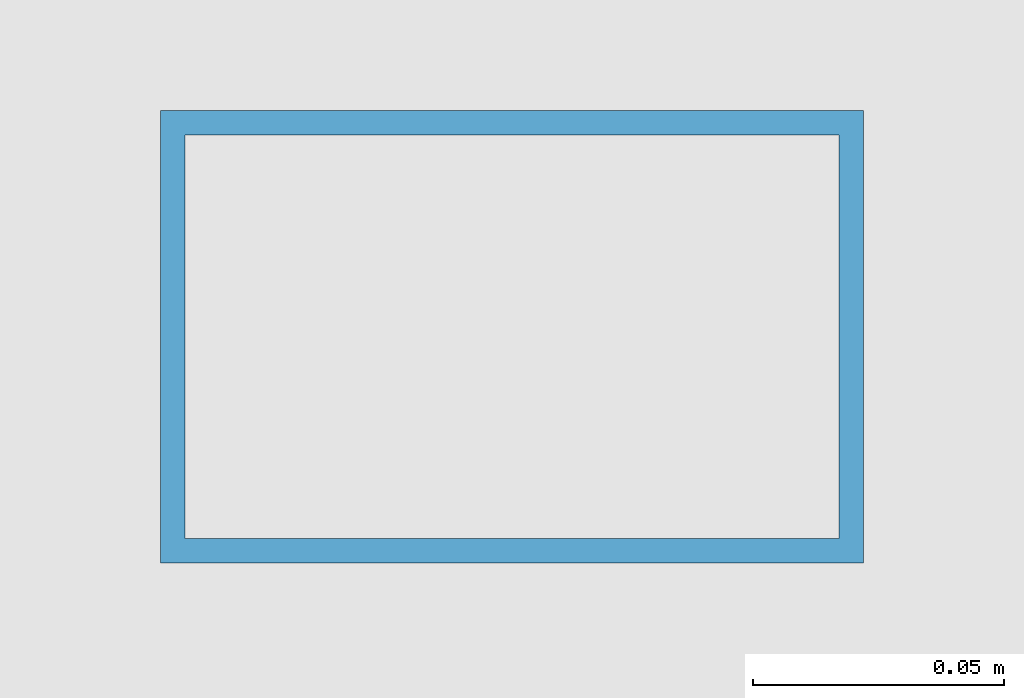
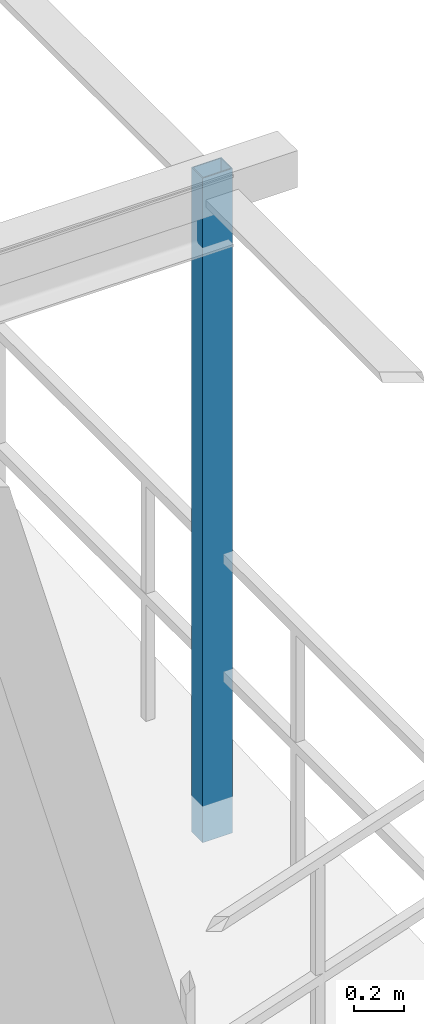
# One storey, part 7 of 23: 1 member.
"""IFC4 building model written with IfcOpenShell, lengths in metres."""

from ifc_helpers import new_model, si_unit, direction, frame, origin, origin_2d, place, context, subcontext, project, spatial, hollow_rectangle, extrude, source, transform, mapped, material, material_profile, profile_set, type_object, element, save


model = new_model("IFC4")

# Units and contexts
model_context = context("Model", 3, precision=1e-05, world=origin(), true_north=direction((0.0, 1.0)))
body_context = subcontext(model_context, "Body", "Model", "MODEL_VIEW")
ifc_project = project(units=[si_unit("LENGTHUNIT", "METRE"), si_unit("AREAUNIT", "SQUARE_METRE"), si_unit("VOLUMEUNIT", "CUBIC_METRE"), si_unit("PLANEANGLEUNIT", "RADIAN"), si_unit("MASSUNIT", "GRAM", prefix="KILO"), si_unit("THERMODYNAMICTEMPERATUREUNIT", "KELVIN"), si_unit("POWERUNIT", "WATT")], contexts=[model_context])

# Site, building, storey
site_placement = place(None, origin())
site = spatial("IfcSite", under=ifc_project, at=site_placement, CompositionType="ELEMENT")
building_placement = place(site_placement, origin())
building = spatial("IfcBuilding", under=site, at=building_placement, Name="Qiaomeng Ring Towers", CompositionType="ELEMENT")
storey_placement = place(building_placement, frame((0.0, 0.0, 76.25)))
storey = spatial("IfcBuildingStorey", under=building, at=storey_placement, Name="L21", CompositionType="ELEMENT", Elevation=76.25)

# Member
ifc_material = material(Name="Stainless steel 316", Category="steel")
ifc_material_profile = material_profile(ifc_material, hollow_rectangle(XDim=0.090087890625, YDim=0.139892578125, WallThickness=0.0048828125, at=origin_2d()), Name="SS TRELLIS 90x140")
ifc_profile_set = profile_set([ifc_material_profile], Name="Stainless steel 316")
member_type = type_object("IfcMemberType", Name="ARC-TR-POST1", PredefinedType="STUD", material=ifc_profile_set)
shared_shape = source(origin(), body_context, "Body", "SweptSolid", [
    extrude(hollow_rectangle(XDim=0.090087890625, YDim=0.139892578125, WallThickness=0.0048828125, at=origin_2d()), origin(), (0.0, 0.0, 1.0), 3.25),
])
member_placement = place(storey_placement, frame((39.489990234375, 20.0, -0.179931640625), z_axis=(0.0, 0.0, 1.0), x_axis=(0.0, 1.0, 0.0)))
element("IfcMember", 1, at=member_placement, inside=storey, type_object=member_type, Name="L21 Outer Ventilated Trellis Post E", PredefinedType="STUD", context=body_context, shape_type="MappedRepresentation", body=[
    mapped(shared_shape, transform((0.0, 0.0, 0.0), x_axis=(1.0, 0.0, 0.0), y_axis=(0.0, 1.0, 0.0), z_axis=(0.0, 0.0, 1.0), scale=1.0)),
])

save(model, "model.ifc")
